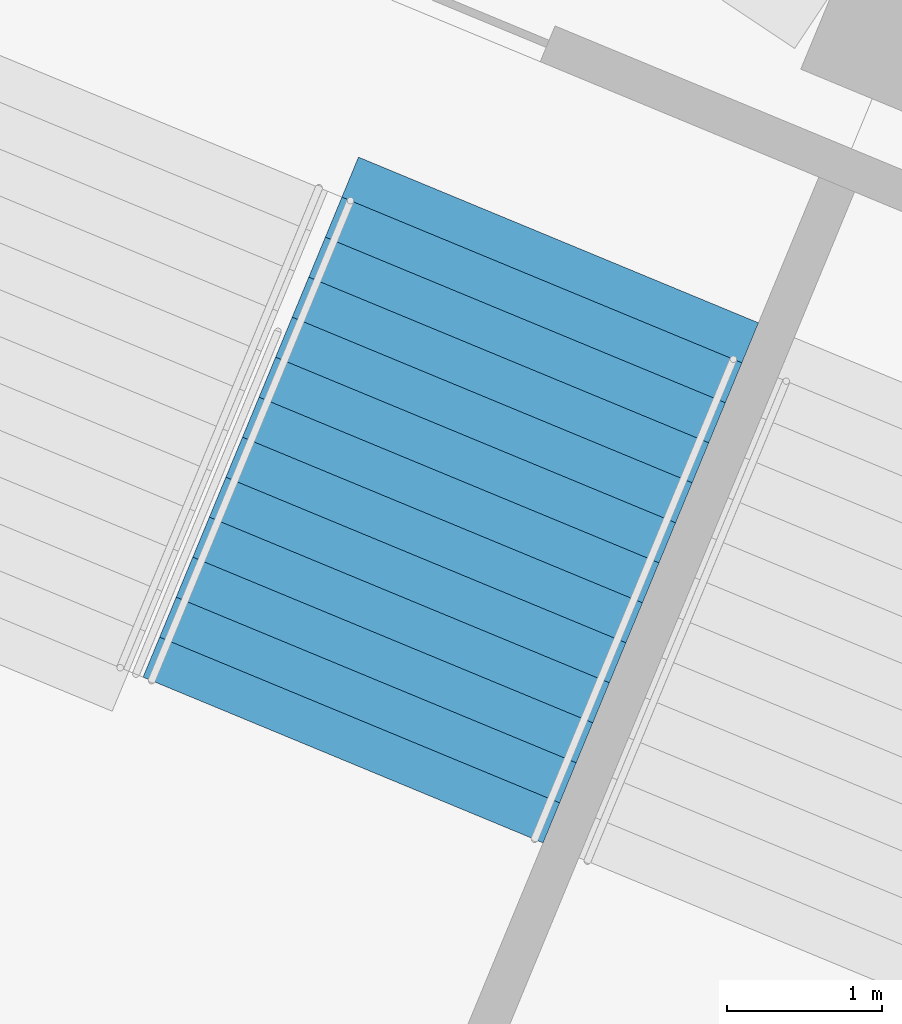
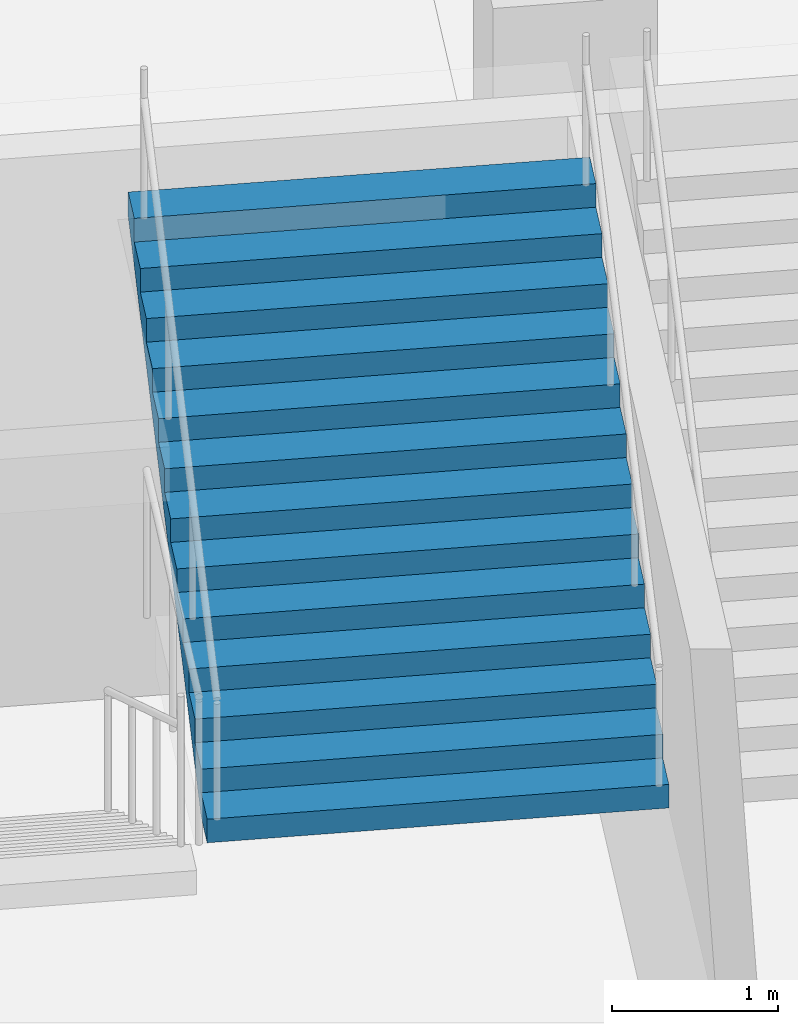
# One storey, part 46 of 175: 1 stair flight, 1 element without a shape of its own.
"""IFC4 building model written with IfcOpenShell, lengths in metres."""

from ifc_helpers import new_model, si_unit, direction, frame, origin, place, context, subcontext, project, spatial, faceted_brep, material, type_object, element, aggregate, save


model = new_model("IFC4")

# Units and contexts
model_context = context("Model", 3, precision=1e-05, world=origin(), true_north=direction((0.0, 1.0)))
body_context = subcontext(model_context, "Body", "Model", "MODEL_VIEW")
ifc_project = project(units=[si_unit("LENGTHUNIT", "METRE"), si_unit("AREAUNIT", "SQUARE_METRE"), si_unit("VOLUMEUNIT", "CUBIC_METRE"), si_unit("PLANEANGLEUNIT", "RADIAN"), si_unit("MASSUNIT", "GRAM", prefix="KILO")], contexts=[model_context])

# Site, building, storey
site_placement = place(None, origin())
site = spatial("IfcSite", under=ifc_project, at=site_placement, CompositionType="ELEMENT")
building_placement = place(site_placement, origin())
building = spatial("IfcBuilding", under=site, at=building_placement, Name="Ogive Plaza Stadium", CompositionType="ELEMENT")
storey_placement = place(building_placement, origin())
storey = spatial("IfcBuildingStorey", under=building, at=storey_placement, Name="L00", CompositionType="ELEMENT", Elevation=0.0)

# Stair, stair flight
ifc_material_1 = material(Name="Concrete C40/50", Category="concrete")
stair_type = type_object("IfcStairType", Name="Exit stair", PredefinedType="STRAIGHT_RUN_STAIR", material=ifc_material_1)
stair_placement = place(storey_placement, origin())
stair = element("IfcStair", 1, at=stair_placement, inside=storey, type_object=stair_type, Name="Exit stair ST18A L00 to L01", PredefinedType="STRAIGHT_RUN_STAIR")
ifc_material_2 = material(Name="Concrete C40/50", Category="concrete")
stair_flight_type = type_object("IfcStairFlightType", Name="Exit stair flight", PredefinedType="STRAIGHT", material=ifc_material_2)
stair_flight_placement = place(storey_placement, frame((-52.9013671875, -94.14697265625, 2.25), z_axis=(0.0, 0.0, 1.0), x_axis=(0.382683432365, 0.923879532511, 0.0)))
stair_flight = element("IfcStairFlight", 2, at=stair_flight_placement, type_object=stair_flight_type, Name="ST18A flight 2", NumberOfRisers=13, NumberOfTreads=12, PredefinedType="STRAIGHT", RiserHeight=0.173076923, TreadLength=0.28, context=body_context, shape_type="Brep", body=[
    faceted_brep([(0.28515625, -1.39990234375, 0.0), (3.639892578125, -1.39990234375, 2.07373046875), (3.639892578125, -1.39990234375, 2.25), (3.360107421875, -1.39990234375, 2.25), (3.360107421875, -1.39990234375, 2.076904296875), (3.080078125, -1.39990234375, 2.076904296875), (3.080078125, -1.39990234375, 1.90380859375), (2.800048828125, -1.39990234375, 1.90380859375), (2.800048828125, -1.39990234375, 1.730712890625), (2.52001953125, -1.39990234375, 1.730712890625), (2.52001953125, -1.39990234375, 1.5576171875), (2.239990234375, -1.39990234375, 1.5576171875), (2.239990234375, -1.39990234375, 1.384521484375), (1.9599609375, -1.39990234375, 1.384521484375), (1.9599609375, -1.39990234375, 1.21142578125), (1.679931640625, -1.39990234375, 1.21142578125), (1.679931640625, -1.39990234375, 1.03857421875), (1.39990234375, -1.39990234375, 1.03857421875), (1.39990234375, -1.39990234375, 0.865478515625), (1.1201171875, -1.39990234375, 0.865478515625), (1.1201171875, -1.39990234375, 0.6923828125), (0.840087890625, -1.39990234375, 0.6923828125), (0.840087890625, -1.39990234375, 0.519287109375), (0.56005859375, -1.39990234375, 0.519287109375), (0.56005859375, -1.39990234375, 0.34619140625), (0.280029296875, -1.39990234375, 0.34619140625), (0.280029296875, -1.39990234375, 0.173095703125), (0.0, -1.39990234375, 0.173095703125), (0.0, -1.39990234375, 0.0), (0.0, 1.39990234375, 0.0), (0.0, 1.39990234375, 0.173095703125), (0.280029296875, 1.39990234375, 0.173095703125), (0.280029296875, 1.39990234375, 0.34619140625), (0.56005859375, 1.39990234375, 0.34619140625), (0.56005859375, 1.39990234375, 0.519287109375), (0.840087890625, 1.39990234375, 0.519287109375), (0.840087890625, 1.39990234375, 0.6923828125), (1.1201171875, 1.39990234375, 0.6923828125), (1.1201171875, 1.39990234375, 0.865478515625), (1.39990234375, 1.39990234375, 0.865478515625), (1.39990234375, 1.39990234375, 1.03857421875), (1.679931640625, 1.39990234375, 1.03857421875), (1.679931640625, 1.39990234375, 1.21142578125), (1.9599609375, 1.39990234375, 1.21142578125), (1.9599609375, 1.39990234375, 1.384521484375), (2.239990234375, 1.39990234375, 1.384521484375), (2.239990234375, 1.39990234375, 1.5576171875), (2.52001953125, 1.39990234375, 1.5576171875), (2.52001953125, 1.39990234375, 1.730712890625), (2.800048828125, 1.39990234375, 1.730712890625), (2.800048828125, 1.39990234375, 1.90380859375), (3.080078125, 1.39990234375, 1.90380859375), (3.080078125, 1.39990234375, 2.076904296875), (3.360107421875, 1.39990234375, 2.076904296875), (3.360107421875, 1.39990234375, 2.25), (3.639892578125, 1.39990234375, 2.25), (3.639892578125, 1.39990234375, 2.07373046875), (0.28515625, 1.39990234375, 0.0), (0.28515625, -1.0888671875, 0.0), (3.639892578125, -1.0888671875, 2.07373046875), (0.28515625, -0.77783203125, 0.0), (3.639892578125, -0.77783203125, 2.07373046875), (0.28515625, -0.466796875, 0.0), (3.639892578125, -0.466796875, 2.07373046875), (0.28515625, -0.155517578125, 0.0), (3.639892578125, -0.155517578125, 2.07373046875), (0.28515625, 0.155517578125, 0.0), (3.639892578125, 0.155517578125, 2.07373046875), (0.28515625, 0.466796875, 0.0), (3.639892578125, 0.466796875, 2.07373046875), (0.28515625, 0.77783203125, 0.0), (3.639892578125, 0.77783203125, 2.07373046875), (0.28515625, 1.0888671875, 0.0), (3.639892578125, 1.0888671875, 2.07373046875), (3.639892578125, -1.0888671875, 2.25), (3.639892578125, -0.77783203125, 2.25), (3.639892578125, -0.466796875, 2.25), (3.639892578125, -0.155517578125, 2.25), (3.639892578125, 0.155517578125, 2.25), (3.639892578125, 0.466796875, 2.25), (3.639892578125, 0.77783203125, 2.25), (3.639892578125, 1.0888671875, 2.25), (3.360107421875, -1.0888671875, 2.25), (3.360107421875, -0.77783203125, 2.25), (3.360107421875, -0.466796875, 2.25), (3.360107421875, -0.155517578125, 2.25), (3.360107421875, 0.155517578125, 2.25), (3.360107421875, 0.466796875, 2.25), (3.360107421875, 0.77783203125, 2.25), (3.360107421875, 1.0888671875, 2.25), (3.360107421875, -1.0888671875, 2.076904296875), (3.360107421875, -0.77783203125, 2.076904296875), (3.360107421875, -0.466796875, 2.076904296875), (3.360107421875, -0.155517578125, 2.076904296875), (3.360107421875, 0.155517578125, 2.076904296875), (3.360107421875, 0.466796875, 2.076904296875), (3.360107421875, 0.77783203125, 2.076904296875), (3.360107421875, 1.0888671875, 2.076904296875), (3.080078125, -1.0888671875, 2.076904296875), (3.080078125, -0.77783203125, 2.076904296875), (3.080078125, -0.466796875, 2.076904296875), (3.080078125, -0.155517578125, 2.076904296875), (3.080078125, 0.155517578125, 2.076904296875), (3.080078125, 0.466796875, 2.076904296875), (3.080078125, 0.77783203125, 2.076904296875), (3.080078125, 1.0888671875, 2.076904296875), (3.080078125, -1.0888671875, 1.90380859375), (3.080078125, -0.77783203125, 1.90380859375), (3.080078125, -0.466796875, 1.90380859375), (3.080078125, -0.155517578125, 1.90380859375), (3.080078125, 0.155517578125, 1.90380859375), (3.080078125, 0.466796875, 1.90380859375), (3.080078125, 0.77783203125, 1.90380859375), (3.080078125, 1.0888671875, 1.90380859375), (2.800048828125, -1.0888671875, 1.90380859375), (2.800048828125, -0.77783203125, 1.90380859375), (2.800048828125, -0.466796875, 1.90380859375), (2.800048828125, -0.155517578125, 1.90380859375), (2.800048828125, 0.155517578125, 1.90380859375), (2.800048828125, 0.466796875, 1.90380859375), (2.800048828125, 0.77783203125, 1.90380859375), (2.800048828125, 1.0888671875, 1.90380859375), (2.800048828125, -1.0888671875, 1.730712890625), (2.800048828125, -0.77783203125, 1.730712890625), (2.800048828125, -0.466796875, 1.730712890625), (2.800048828125, -0.155517578125, 1.730712890625), (2.800048828125, 0.155517578125, 1.730712890625), (2.800048828125, 0.466796875, 1.730712890625), (2.800048828125, 0.77783203125, 1.730712890625), (2.800048828125, 1.0888671875, 1.730712890625), (2.52001953125, -1.0888671875, 1.730712890625), (2.52001953125, -0.77783203125, 1.730712890625), (2.52001953125, -0.466796875, 1.730712890625), (2.52001953125, -0.155517578125, 1.730712890625), (2.52001953125, 0.155517578125, 1.730712890625), (2.52001953125, 0.466796875, 1.730712890625), (2.52001953125, 0.77783203125, 1.730712890625), (2.52001953125, 1.0888671875, 1.730712890625), (2.52001953125, -1.0888671875, 1.5576171875), (2.52001953125, -0.77783203125, 1.5576171875), (2.52001953125, -0.466796875, 1.5576171875), (2.52001953125, -0.155517578125, 1.5576171875), (2.52001953125, 0.155517578125, 1.5576171875), (2.52001953125, 0.466796875, 1.5576171875), (2.52001953125, 0.77783203125, 1.5576171875), (2.52001953125, 1.0888671875, 1.5576171875), (2.239990234375, -1.0888671875, 1.5576171875), (2.239990234375, -0.77783203125, 1.5576171875), (2.239990234375, -0.466796875, 1.5576171875), (2.239990234375, -0.155517578125, 1.5576171875), (2.239990234375, 0.155517578125, 1.5576171875), (2.239990234375, 0.466796875, 1.5576171875), (2.239990234375, 0.77783203125, 1.5576171875), (2.239990234375, 1.0888671875, 1.5576171875), (2.239990234375, -1.0888671875, 1.384521484375), (2.239990234375, -0.77783203125, 1.384521484375), (2.239990234375, -0.466796875, 1.384521484375), (2.239990234375, -0.155517578125, 1.384521484375), (2.239990234375, 0.155517578125, 1.384521484375), (2.239990234375, 0.466796875, 1.384521484375), (2.239990234375, 0.77783203125, 1.384521484375), (2.239990234375, 1.0888671875, 1.384521484375), (1.9599609375, -1.0888671875, 1.384521484375), (1.9599609375, -0.77783203125, 1.384521484375), (1.9599609375, -0.466796875, 1.384521484375), (1.9599609375, -0.155517578125, 1.384521484375), (1.9599609375, 0.155517578125, 1.384521484375), (1.9599609375, 0.466796875, 1.384521484375), (1.9599609375, 0.77783203125, 1.384521484375), (1.9599609375, 1.0888671875, 1.384521484375), (1.9599609375, -1.0888671875, 1.21142578125), (1.9599609375, -0.77783203125, 1.21142578125), (1.9599609375, -0.466796875, 1.21142578125), (1.9599609375, -0.155517578125, 1.21142578125), (1.9599609375, 0.155517578125, 1.21142578125), (1.9599609375, 0.466796875, 1.21142578125), (1.9599609375, 0.77783203125, 1.21142578125), (1.9599609375, 1.0888671875, 1.21142578125), (1.679931640625, -1.0888671875, 1.21142578125), (1.679931640625, -0.77783203125, 1.21142578125), (1.679931640625, -0.466796875, 1.21142578125), (1.679931640625, -0.155517578125, 1.21142578125), (1.679931640625, 0.155517578125, 1.21142578125), (1.679931640625, 0.466796875, 1.21142578125), (1.679931640625, 0.77783203125, 1.21142578125), (1.679931640625, 1.0888671875, 1.21142578125), (1.679931640625, -1.0888671875, 1.03857421875), (1.679931640625, -0.77783203125, 1.03857421875), (1.679931640625, -0.466796875, 1.03857421875), (1.679931640625, -0.155517578125, 1.03857421875), (1.679931640625, 0.155517578125, 1.03857421875), (1.679931640625, 0.466796875, 1.03857421875), (1.679931640625, 0.77783203125, 1.03857421875), (1.679931640625, 1.0888671875, 1.03857421875), (1.39990234375, -1.0888671875, 1.03857421875), (1.39990234375, -0.77783203125, 1.03857421875), (1.39990234375, -0.466796875, 1.03857421875), (1.39990234375, -0.155517578125, 1.03857421875), (1.39990234375, 0.155517578125, 1.03857421875), (1.39990234375, 0.466796875, 1.03857421875), (1.39990234375, 0.77783203125, 1.03857421875), (1.39990234375, 1.0888671875, 1.03857421875), (1.39990234375, -1.0888671875, 0.865478515625), (1.39990234375, -0.77783203125, 0.865478515625), (1.39990234375, -0.466796875, 0.865478515625), (1.39990234375, -0.155517578125, 0.865478515625), (1.39990234375, 0.155517578125, 0.865478515625), (1.39990234375, 0.466796875, 0.865478515625), (1.39990234375, 0.77783203125, 0.865478515625), (1.39990234375, 1.0888671875, 0.865478515625), (1.1201171875, -1.0888671875, 0.865478515625), (1.1201171875, -0.77783203125, 0.865478515625), (1.1201171875, -0.466796875, 0.865478515625), (1.1201171875, -0.155517578125, 0.865478515625), (1.1201171875, 0.155517578125, 0.865478515625), (1.1201171875, 0.466796875, 0.865478515625), (1.1201171875, 0.77783203125, 0.865478515625), (1.1201171875, 1.0888671875, 0.865478515625), (1.1201171875, -1.0888671875, 0.6923828125), (1.1201171875, -0.77783203125, 0.6923828125), (1.1201171875, -0.466796875, 0.6923828125), (1.1201171875, -0.155517578125, 0.6923828125), (1.1201171875, 0.155517578125, 0.6923828125), (1.1201171875, 0.466796875, 0.6923828125), (1.1201171875, 0.77783203125, 0.6923828125), (1.1201171875, 1.0888671875, 0.6923828125), (0.840087890625, -1.0888671875, 0.6923828125), (0.840087890625, -0.77783203125, 0.6923828125), (0.840087890625, -0.466796875, 0.6923828125), (0.840087890625, -0.155517578125, 0.6923828125), (0.840087890625, 0.155517578125, 0.6923828125), (0.840087890625, 0.466796875, 0.6923828125), (0.840087890625, 0.77783203125, 0.6923828125), (0.840087890625, 1.0888671875, 0.6923828125), (0.840087890625, -1.0888671875, 0.519287109375), (0.840087890625, -0.77783203125, 0.519287109375), (0.840087890625, -0.466796875, 0.519287109375), (0.840087890625, -0.155517578125, 0.519287109375), (0.840087890625, 0.155517578125, 0.519287109375), (0.840087890625, 0.466796875, 0.519287109375), (0.840087890625, 0.77783203125, 0.519287109375), (0.840087890625, 1.0888671875, 0.519287109375), (0.56005859375, -1.0888671875, 0.519287109375), (0.56005859375, -0.77783203125, 0.519287109375), (0.56005859375, -0.466796875, 0.519287109375), (0.56005859375, -0.155517578125, 0.519287109375), (0.56005859375, 0.155517578125, 0.519287109375), (0.56005859375, 0.466796875, 0.519287109375), (0.56005859375, 0.77783203125, 0.519287109375), (0.56005859375, 1.0888671875, 0.519287109375), (0.56005859375, -1.0888671875, 0.34619140625), (0.56005859375, -0.77783203125, 0.34619140625), (0.56005859375, -0.466796875, 0.34619140625), (0.56005859375, -0.155517578125, 0.34619140625), (0.56005859375, 0.155517578125, 0.34619140625), (0.56005859375, 0.466796875, 0.34619140625), (0.56005859375, 0.77783203125, 0.34619140625), (0.56005859375, 1.0888671875, 0.34619140625), (0.280029296875, -1.0888671875, 0.34619140625), (0.280029296875, -0.77783203125, 0.34619140625), (0.280029296875, -0.466796875, 0.34619140625), (0.280029296875, -0.155517578125, 0.34619140625), (0.280029296875, 0.155517578125, 0.34619140625), (0.280029296875, 0.466796875, 0.34619140625), (0.280029296875, 0.77783203125, 0.34619140625), (0.280029296875, 1.0888671875, 0.34619140625), (0.280029296875, -1.0888671875, 0.173095703125), (0.280029296875, -0.77783203125, 0.173095703125), (0.280029296875, -0.466796875, 0.173095703125), (0.280029296875, -0.155517578125, 0.173095703125), (0.280029296875, 0.155517578125, 0.173095703125), (0.280029296875, 0.466796875, 0.173095703125), (0.280029296875, 0.77783203125, 0.173095703125), (0.280029296875, 1.0888671875, 0.173095703125), (0.0, -1.0888671875, 0.173095703125), (0.0, -0.77783203125, 0.173095703125), (0.0, -0.466796875, 0.173095703125), (0.0, -0.155517578125, 0.173095703125), (0.0, 0.155517578125, 0.173095703125), (0.0, 0.466796875, 0.173095703125), (0.0, 0.77783203125, 0.173095703125), (0.0, 1.0888671875, 0.173095703125), (0.0, -1.0888671875, 0.0), (0.0, -0.77783203125, 0.0), (0.0, -0.466796875, 0.0), (0.0, -0.155517578125, 0.0), (0.0, 0.155517578125, 0.0), (0.0, 0.466796875, 0.0), (0.0, 0.77783203125, 0.0), (0.0, 1.0888671875, 0.0)], [[[0, 1, 2, 3, 4, 5, 6, 7, 8, 9, 10, 11, 12, 13, 14, 15, 16, 17, 18, 19, 20, 21, 22, 23, 24, 25, 26, 27, 28]], [[29, 30, 31, 32, 33, 34, 35, 36, 37, 38, 39, 40, 41, 42, 43, 44, 45, 46, 47, 48, 49, 50, 51, 52, 53, 54, 55, 56, 57]], [[0, 58, 59, 1]], [[58, 60, 61, 59]], [[60, 62, 63, 61]], [[62, 64, 65, 63]], [[64, 66, 67, 65]], [[66, 68, 69, 67]], [[68, 70, 71, 69]], [[70, 72, 73, 71]], [[72, 57, 56, 73]], [[1, 59, 74, 2]], [[59, 61, 75, 74]], [[61, 63, 76, 75]], [[63, 65, 77, 76]], [[65, 67, 78, 77]], [[67, 69, 79, 78]], [[69, 71, 80, 79]], [[71, 73, 81, 80]], [[73, 56, 55, 81]], [[2, 74, 82, 3]], [[74, 75, 83, 82]], [[75, 76, 84, 83]], [[76, 77, 85, 84]], [[77, 78, 86, 85]], [[78, 79, 87, 86]], [[79, 80, 88, 87]], [[80, 81, 89, 88]], [[81, 55, 54, 89]], [[3, 82, 90, 4]], [[82, 83, 91, 90]], [[83, 84, 92, 91]], [[84, 85, 93, 92]], [[85, 86, 94, 93]], [[86, 87, 95, 94]], [[87, 88, 96, 95]], [[88, 89, 97, 96]], [[89, 54, 53, 97]], [[4, 90, 98, 5]], [[90, 91, 99, 98]], [[91, 92, 100, 99]], [[92, 93, 101, 100]], [[93, 94, 102, 101]], [[94, 95, 103, 102]], [[95, 96, 104, 103]], [[96, 97, 105, 104]], [[97, 53, 52, 105]], [[5, 98, 106, 6]], [[98, 99, 107, 106]], [[99, 100, 108, 107]], [[100, 101, 109, 108]], [[101, 102, 110, 109]], [[102, 103, 111, 110]], [[103, 104, 112, 111]], [[104, 105, 113, 112]], [[105, 52, 51, 113]], [[6, 106, 114, 7]], [[106, 107, 115, 114]], [[107, 108, 116, 115]], [[108, 109, 117, 116]], [[109, 110, 118, 117]], [[110, 111, 119, 118]], [[111, 112, 120, 119]], [[112, 113, 121, 120]], [[113, 51, 50, 121]], [[7, 114, 122, 8]], [[114, 115, 123, 122]], [[115, 116, 124, 123]], [[116, 117, 125, 124]], [[117, 118, 126, 125]], [[118, 119, 127, 126]], [[119, 120, 128, 127]], [[120, 121, 129, 128]], [[121, 50, 49, 129]], [[8, 122, 130, 9]], [[122, 123, 131, 130]], [[123, 124, 132, 131]], [[124, 125, 133, 132]], [[125, 126, 134, 133]], [[126, 127, 135, 134]], [[127, 128, 136, 135]], [[128, 129, 137, 136]], [[129, 49, 48, 137]], [[9, 130, 138, 10]], [[130, 131, 139, 138]], [[131, 132, 140, 139]], [[132, 133, 141, 140]], [[133, 134, 142, 141]], [[134, 135, 143, 142]], [[135, 136, 144, 143]], [[136, 137, 145, 144]], [[137, 48, 47, 145]], [[10, 138, 146, 11]], [[138, 139, 147, 146]], [[139, 140, 148, 147]], [[140, 141, 149, 148]], [[141, 142, 150, 149]], [[142, 143, 151, 150]], [[143, 144, 152, 151]], [[144, 145, 153, 152]], [[145, 47, 46, 153]], [[11, 146, 154, 12]], [[146, 147, 155, 154]], [[147, 148, 156, 155]], [[148, 149, 157, 156]], [[149, 150, 158, 157]], [[150, 151, 159, 158]], [[151, 152, 160, 159]], [[152, 153, 161, 160]], [[153, 46, 45, 161]], [[12, 154, 162, 13]], [[154, 155, 163, 162]], [[155, 156, 164, 163]], [[156, 157, 165, 164]], [[157, 158, 166, 165]], [[158, 159, 167, 166]], [[159, 160, 168, 167]], [[160, 161, 169, 168]], [[161, 45, 44, 169]], [[13, 162, 170, 14]], [[162, 163, 171, 170]], [[163, 164, 172, 171]], [[164, 165, 173, 172]], [[165, 166, 174, 173]], [[166, 167, 175, 174]], [[167, 168, 176, 175]], [[168, 169, 177, 176]], [[169, 44, 43, 177]], [[14, 170, 178, 15]], [[170, 171, 179, 178]], [[171, 172, 180, 179]], [[172, 173, 181, 180]], [[173, 174, 182, 181]], [[174, 175, 183, 182]], [[175, 176, 184, 183]], [[176, 177, 185, 184]], [[177, 43, 42, 185]], [[15, 178, 186, 16]], [[178, 179, 187, 186]], [[179, 180, 188, 187]], [[180, 181, 189, 188]], [[181, 182, 190, 189]], [[182, 183, 191, 190]], [[183, 184, 192, 191]], [[184, 185, 193, 192]], [[185, 42, 41, 193]], [[16, 186, 194, 17]], [[186, 187, 195, 194]], [[187, 188, 196, 195]], [[188, 189, 197, 196]], [[189, 190, 198, 197]], [[190, 191, 199, 198]], [[191, 192, 200, 199]], [[192, 193, 201, 200]], [[193, 41, 40, 201]], [[17, 194, 202, 18]], [[194, 195, 203, 202]], [[195, 196, 204, 203]], [[196, 197, 205, 204]], [[197, 198, 206, 205]], [[198, 199, 207, 206]], [[199, 200, 208, 207]], [[200, 201, 209, 208]], [[201, 40, 39, 209]], [[18, 202, 210, 19]], [[202, 203, 211, 210]], [[203, 204, 212, 211]], [[204, 205, 213, 212]], [[205, 206, 214, 213]], [[206, 207, 215, 214]], [[207, 208, 216, 215]], [[208, 209, 217, 216]], [[209, 39, 38, 217]], [[19, 210, 218, 20]], [[210, 211, 219, 218]], [[211, 212, 220, 219]], [[212, 213, 221, 220]], [[213, 214, 222, 221]], [[214, 215, 223, 222]], [[215, 216, 224, 223]], [[216, 217, 225, 224]], [[217, 38, 37, 225]], [[20, 218, 226, 21]], [[218, 219, 227, 226]], [[219, 220, 228, 227]], [[220, 221, 229, 228]], [[221, 222, 230, 229]], [[222, 223, 231, 230]], [[223, 224, 232, 231]], [[224, 225, 233, 232]], [[225, 37, 36, 233]], [[21, 226, 234, 22]], [[226, 227, 235, 234]], [[227, 228, 236, 235]], [[228, 229, 237, 236]], [[229, 230, 238, 237]], [[230, 231, 239, 238]], [[231, 232, 240, 239]], [[232, 233, 241, 240]], [[233, 36, 35, 241]], [[22, 234, 242, 23]], [[234, 235, 243, 242]], [[235, 236, 244, 243]], [[236, 237, 245, 244]], [[237, 238, 246, 245]], [[238, 239, 247, 246]], [[239, 240, 248, 247]], [[240, 241, 249, 248]], [[241, 35, 34, 249]], [[23, 242, 250, 24]], [[242, 243, 251, 250]], [[243, 244, 252, 251]], [[244, 245, 253, 252]], [[245, 246, 254, 253]], [[246, 247, 255, 254]], [[247, 248, 256, 255]], [[248, 249, 257, 256]], [[249, 34, 33, 257]], [[24, 250, 258, 25]], [[250, 251, 259, 258]], [[251, 252, 260, 259]], [[252, 253, 261, 260]], [[253, 254, 262, 261]], [[254, 255, 263, 262]], [[255, 256, 264, 263]], [[256, 257, 265, 264]], [[257, 33, 32, 265]], [[25, 258, 266, 26]], [[258, 259, 267, 266]], [[259, 260, 268, 267]], [[260, 261, 269, 268]], [[261, 262, 270, 269]], [[262, 263, 271, 270]], [[263, 264, 272, 271]], [[264, 265, 273, 272]], [[265, 32, 31, 273]], [[26, 266, 274, 27]], [[266, 267, 275, 274]], [[267, 268, 276, 275]], [[268, 269, 277, 276]], [[269, 270, 278, 277]], [[270, 271, 279, 278]], [[271, 272, 280, 279]], [[272, 273, 281, 280]], [[273, 31, 30, 281]], [[27, 274, 282, 28]], [[274, 275, 283, 282]], [[275, 276, 284, 283]], [[276, 277, 285, 284]], [[277, 278, 286, 285]], [[278, 279, 287, 286]], [[279, 280, 288, 287]], [[280, 281, 289, 288]], [[281, 30, 29, 289]], [[28, 282, 58, 0]], [[282, 283, 60, 58]], [[283, 284, 62, 60]], [[284, 285, 64, 62]], [[285, 286, 66, 64]], [[286, 287, 68, 66]], [[287, 288, 70, 68]], [[288, 289, 72, 70]], [[289, 29, 57, 72]]]),
])
aggregate(stair, [stair_flight])

save(model, "model.ifc")
